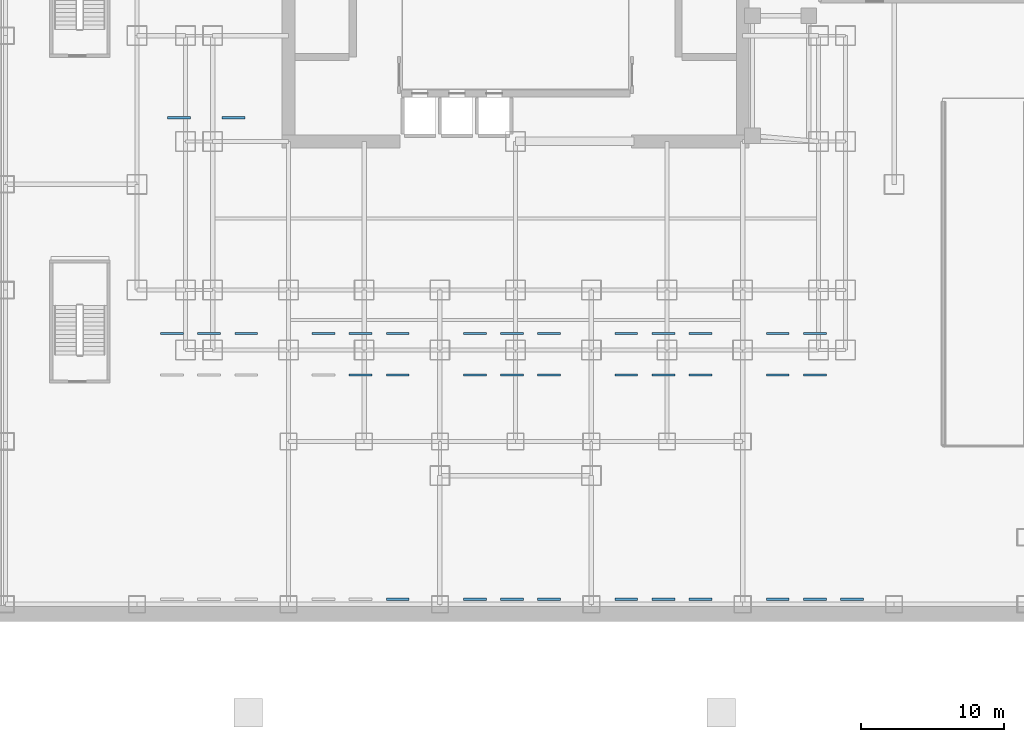
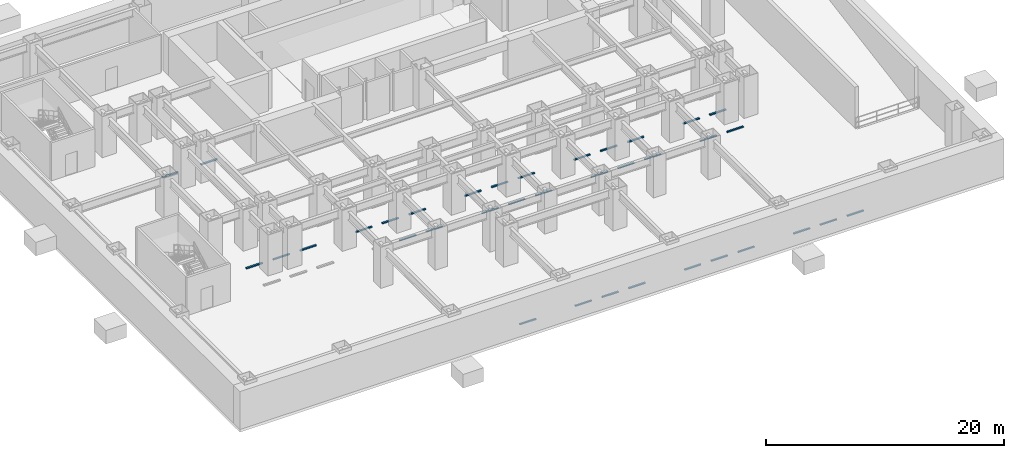
# One storey, part 5 of 7: 36 discrete accessories.
"""IFC4 building model written with IfcOpenShell, lengths in metres."""

from ifc_helpers import new_model, si_unit, direction, frame, origin, origin_2d, place, context, subcontext, project, spatial, rectangle, extrude, source, transform, mapped, material, type_object, element, save


model = new_model("IFC4")

# Units and contexts
model_context = context("Model", 3, precision=1e-05, world=origin(), true_north=direction((0.0, 1.0)))
body_context = subcontext(model_context, "Body", "Model", "MODEL_VIEW")
ifc_project = project(units=[si_unit("LENGTHUNIT", "METRE"), si_unit("AREAUNIT", "SQUARE_METRE"), si_unit("VOLUMEUNIT", "CUBIC_METRE"), si_unit("PLANEANGLEUNIT", "RADIAN"), si_unit("MASSUNIT", "GRAM", prefix="KILO")], contexts=[model_context])

# Site, building, storey
site_placement = place(None, origin())
site = spatial("IfcSite", under=ifc_project, at=site_placement, CompositionType="ELEMENT")
building_placement = place(site_placement, origin())
building = spatial("IfcBuilding", under=site, at=building_placement, Name="Qianlan Lanfeng Residences", CompositionType="ELEMENT")
storey_placement = place(building_placement, frame((0.0, 0.0, -4.199951171875)))
storey = spatial("IfcBuildingStorey", under=building, at=storey_placement, Name="B1", CompositionType="ELEMENT", Elevation=-4.199951171875)

# Discrete accessories
ifc_material = material(Name="Vulcanised Recycled Rubber Wheel Stop")
discrete_accessory_type = type_object("IfcDiscreteAccessoryType", Name="PK-WS-1600", PredefinedType="USERDEFINED", material=ifc_material)
shared_shape = source(origin(), body_context, "Body", "SweptSolid", [
    extrude(rectangle(XDim=1.60009765625, YDim=0.159912109375, at=origin_2d()), origin(), (0.0, 0.0, 1.0), 0.1201171875),
])
for number, where, z_axis, x_axis, name in (
    (1, (18.25, -6.85009765625, -0.005126953125), (0.0, 0.0, 1.0), (1.0, 0.0, 0.0), "B1 Parking Bay Wheel Stop PK-006"),
    (2, (23.64990234375, -6.85009765625, -0.005126953125), (0.0, 0.0, 1.0), (1.0, 0.0, 0.0), "B1 Parking Bay Wheel Stop PK-007"),
    (3, (26.25, -6.85009765625, -0.005126953125), (0.0, 0.0, 1.0), (1.0, 0.0, 0.0), "B1 Parking Bay Wheel Stop PK-008"),
    (4, (28.85009765625, -6.85009765625, -0.005126953125), (0.0, 0.0, 1.0), (1.0, 0.0, 0.0), "B1 Parking Bay Wheel Stop PK-009"),
    (5, (34.25, -6.85009765625, -0.005126953125), (0.0, 0.0, 1.0), (1.0, 0.0, 0.0), "B1 Parking Bay Wheel Stop PK-010"),
    (6, (36.85009765625, -6.85009765625, -0.005126953125), (0.0, 0.0, 1.0), (1.0, 0.0, 0.0), "B1 Parking Bay Wheel Stop PK-011"),
    (7, (39.449951171875, -6.85009765625, -0.005126953125), (0.0, 0.0, 1.0), (1.0, 0.0, 0.0), "B1 Parking Bay Wheel Stop PK-012"),
    (8, (44.85009765625, -6.85009765625, -0.005126953125), (0.0, 0.0, 1.0), (1.0, 0.0, 0.0), "B1 Parking Bay Wheel Stop PK-013"),
    (9, (47.449951171875, -6.85009765625, -0.005126953125), (0.0, 0.0, 1.0), (1.0, 0.0, 0.0), "B1 Parking Bay Wheel Stop PK-014"),
    (10, (50.050048828125, -6.85009765625, -0.005126953125), (0.0, 0.0, 1.0), (1.0, 0.0, 0.0), "B1 Parking Bay Wheel Stop PK-015"),
    (11, (15.64990234375, 8.85009765625, -0.005126953125), (0.0, 0.0, 1.0), (1.0, 0.0, 0.0), "B1 Parking Bay Wheel Stop PK-020"),
    (12, (18.25, 8.85009765625, -0.005126953125), (0.0, 0.0, 1.0), (1.0, 0.0, 0.0), "B1 Parking Bay Wheel Stop PK-021"),
    (13, (23.64990234375, 8.85009765625, -0.005126953125), (0.0, 0.0, 1.0), (1.0, 0.0, 0.0), "B1 Parking Bay Wheel Stop PK-022"),
    (14, (26.25, 8.85009765625, -0.005126953125), (0.0, 0.0, 1.0), (1.0, 0.0, 0.0), "B1 Parking Bay Wheel Stop PK-023"),
    (15, (28.85009765625, 8.85009765625, -0.005126953125), (0.0, 0.0, 1.0), (1.0, 0.0, 0.0), "B1 Parking Bay Wheel Stop PK-024"),
    (16, (34.25, 8.85009765625, -0.005126953125), (0.0, 0.0, 1.0), (1.0, 0.0, 0.0), "B1 Parking Bay Wheel Stop PK-025"),
    (17, (36.85009765625, 8.85009765625, -0.005126953125), (0.0, 0.0, 1.0), (1.0, 0.0, 0.0), "B1 Parking Bay Wheel Stop PK-026"),
    (18, (39.449951171875, 8.85009765625, -0.005126953125), (0.0, 0.0, 1.0), (1.0, 0.0, 0.0), "B1 Parking Bay Wheel Stop PK-027"),
    (19, (44.85009765625, 8.85009765625, -0.005126953125), (0.0, 0.0, 1.0), (1.0, 0.0, 0.0), "B1 Parking Bay Wheel Stop PK-028"),
    (20, (47.449951171875, 8.85009765625, -0.005126953125), (0.0, 0.0, 1.0), (1.0, 0.0, 0.0), "B1 Parking Bay Wheel Stop PK-029"),
    (21, (2.449951171875, 11.75, -0.005126953125), (0.0, 0.0, 1.0), (1.0, 0.0, 0.0), "B1 Parking Bay Wheel Stop PK-030"),
    (22, (5.050048828125, 11.75, -0.005126953125), (0.0, 0.0, 1.0), (1.0, 0.0, 0.0), "B1 Parking Bay Wheel Stop PK-031"),
    (23, (7.64990234375, 11.75, -0.005126953125), (0.0, 0.0, 1.0), (1.0, 0.0, 0.0), "B1 Parking Bay Wheel Stop PK-032"),
    (24, (13.050048828125, 11.75, -0.005126953125), (0.0, 0.0, 1.0), (1.0, 0.0, 0.0), "B1 Parking Bay Wheel Stop PK-033"),
    (25, (15.64990234375, 11.75, -0.005126953125), (0.0, 0.0, 1.0), (1.0, 0.0, 0.0), "B1 Parking Bay Wheel Stop PK-034"),
    (26, (18.25, 11.75, -0.005126953125), (0.0, 0.0, 1.0), (1.0, 0.0, 0.0), "B1 Parking Bay Wheel Stop PK-035"),
    (27, (23.64990234375, 11.75, -0.005126953125), (0.0, 0.0, 1.0), (1.0, 0.0, 0.0), "B1 Parking Bay Wheel Stop PK-036"),
    (28, (26.25, 11.75, -0.005126953125), (0.0, 0.0, 1.0), (1.0, 0.0, 0.0), "B1 Parking Bay Wheel Stop PK-037"),
    (29, (28.85009765625, 11.75, -0.005126953125), (0.0, 0.0, 1.0), (1.0, 0.0, 0.0), "B1 Parking Bay Wheel Stop PK-038"),
    (30, (34.25, 11.75, -0.005126953125), (0.0, 0.0, 1.0), (1.0, 0.0, 0.0), "B1 Parking Bay Wheel Stop PK-039"),
    (31, (36.85009765625, 11.75, -0.005126953125), (0.0, 0.0, 1.0), (1.0, 0.0, 0.0), "B1 Parking Bay Wheel Stop PK-040"),
    (32, (39.449951171875, 11.75, -0.005126953125), (0.0, 0.0, 1.0), (1.0, 0.0, 0.0), "B1 Parking Bay Wheel Stop PK-041"),
    (33, (44.85009765625, 11.75, -0.005126953125), (0.0, 0.0, 1.0), (1.0, 0.0, 0.0), "B1 Parking Bay Wheel Stop PK-042"),
    (34, (47.449951171875, 11.75, -0.005126953125), (0.0, 0.0, 1.0), (1.0, 0.0, 0.0), "B1 Parking Bay Wheel Stop PK-043"),
    (35, (2.949951171875, 26.85009765625, -0.005126953125), (0.0, 0.0, 1.0), (1.0, 0.0, 0.0), "B1 Accessible Parking Bay Wheel Stop PK-ACC-044"),
    (36, (6.75, 26.85009765625, -0.005126953125), (0.0, 0.0, 1.0), (1.0, 0.0, 0.0), "B1 Accessible Parking Bay Wheel Stop PK-ACC-045"),
):
    element("IfcDiscreteAccessory", number, at=place(storey_placement, frame(where, z_axis=z_axis, x_axis=x_axis)), inside=storey, type_object=discrete_accessory_type, Name=name, ObjectType="WHEEL_STOP", PredefinedType="USERDEFINED", context=body_context, shape_type="MappedRepresentation", body=[
        mapped(shared_shape, transform((0.0, 0.0, 0.0), scale=1.0)),
    ])

save(model, "model.ifc")
